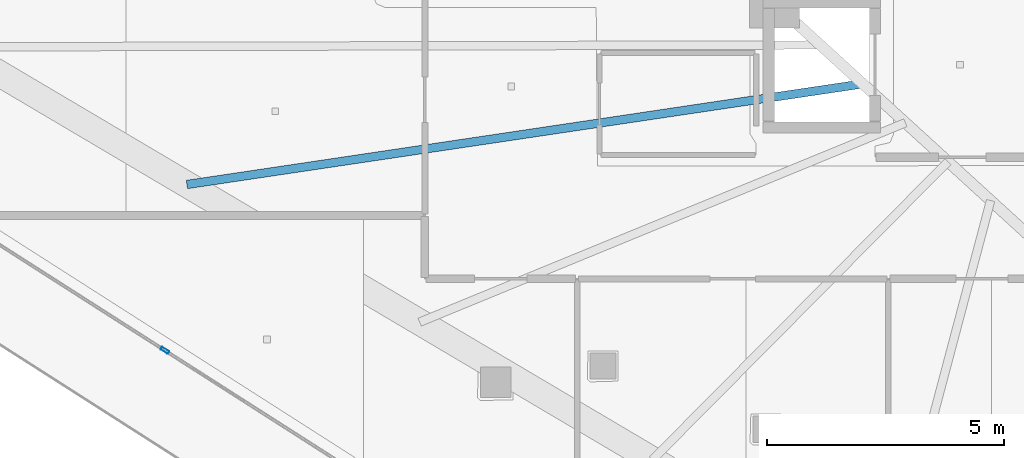
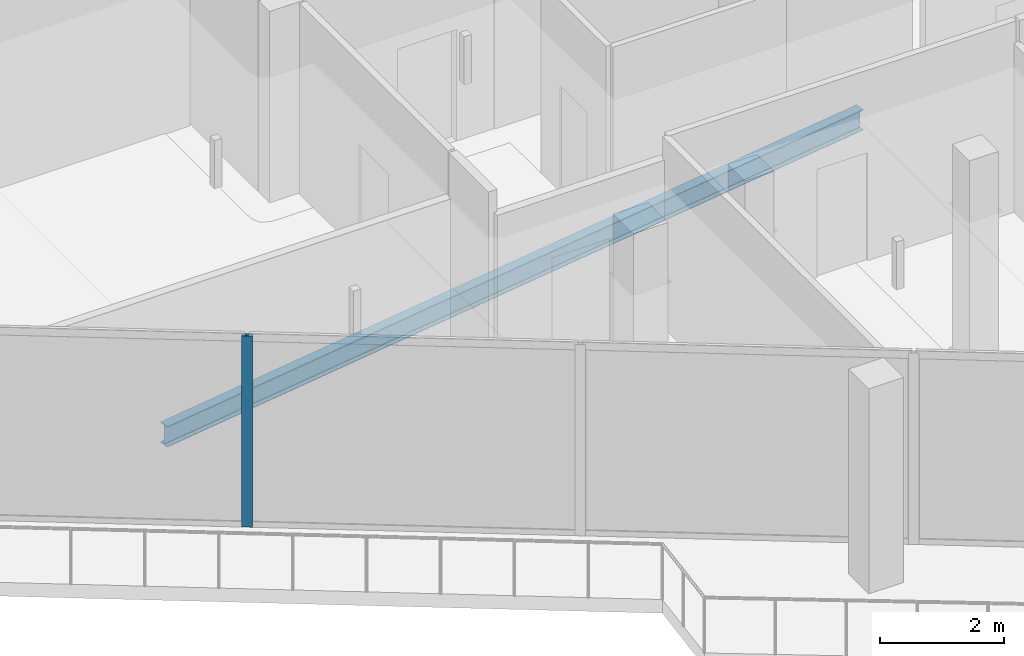
# One storey, part 6 of 39: 1 beam, 1 member, 1 element without a shape of its own.
"""IFC4 building model written with IfcOpenShell, lengths in metres."""

from ifc_helpers import new_model, si_unit, direction, frame, origin, origin_2d, place, context, subcontext, project, spatial, hollow_rectangle, i_section, extrude, material, layer, layer_set, material_profile, profile_set, type_object, element, aggregate, save


model = new_model("IFC4")

# Units and contexts
model_context = context("Model", 3, precision=1e-05, world=origin(), true_north=direction((0.0, 1.0)))
body_context = subcontext(model_context, "Body", "Model", "MODEL_VIEW")
ifc_project = project(units=[si_unit("LENGTHUNIT", "METRE"), si_unit("AREAUNIT", "SQUARE_METRE"), si_unit("VOLUMEUNIT", "CUBIC_METRE"), si_unit("PLANEANGLEUNIT", "RADIAN"), si_unit("MASSUNIT", "GRAM", prefix="KILO")], contexts=[model_context])

# Site, building, storey
site_placement = place(None, origin())
site = spatial("IfcSite", under=ifc_project, at=site_placement, CompositionType="ELEMENT")
building_placement = place(site_placement, origin())
building = spatial("IfcBuilding", under=site, at=building_placement, Name="Qorvath Tower", CompositionType="ELEMENT")
storey_placement = place(building_placement, frame((0.0, 0.0, 142.199951171875)))
storey = spatial("IfcBuildingStorey", under=building, at=storey_placement, Name="L32", CompositionType="ELEMENT", Elevation=142.199951171875)

# Beam
ifc_material_1 = material(Name="Steel ASTM A992 Grade 50", Category="steel")
ifc_material_profile_1 = material_profile(ifc_material_1, i_section(OverallWidth=0.177978515625, OverallDepth=0.406005859375, WebThickness=0.0078125, FlangeThickness=0.0126953125, FilletRadius=0.010986328125, at=origin_2d()), Name="W16x40")
ifc_profile_set_1 = profile_set([ifc_material_profile_1], Name="Steel ASTM A992 Grade 50")
beam_type = type_object("IfcBeamType", Name="BM-FJ3", PredefinedType="JOIST", material=ifc_profile_set_1)
beam_placement = place(storey_placement, frame((-28.636962890625, -6.85107421875, -0.47314453125), z_axis=(-0.989092860328, -0.147293291256, 0.0), x_axis=(0.147293291256, -0.989092860328, 0.0)))
element("IfcBeam", 1, at=beam_placement, inside=storey, type_object=beam_type, Name="Composite Floor Joist SW2 L32", PredefinedType="JOIST", context=body_context, shape_type="SweptSolid", body=[
    extrude(i_section(OverallWidth=0.177978515625, OverallDepth=0.406005859375, WebThickness=0.0078125, FlangeThickness=0.0126953125, FilletRadius=0.010986328125, at=origin_2d()), origin(), (0.0, 0.0, 1.0), 14.388916015625),
])

# Curtain wall, member
ifc_material_2 = material(Name="Anodised aluminium and triple low-E glass", Category="aluminium")
ifc_layer = layer(ifc_material_2, 0.179931640625)
ifc_layer_set = layer_set([ifc_layer], Name="CW-SYS-3")
curtain_wall_type = type_object("IfcCurtainWallType", Name="CW-SYS-3", PredefinedType="NOTDEFINED", material=ifc_layer_set)
curtain_wall_placement = place(storey_placement, origin())
curtain_wall = element("IfcCurtainWall", 2, at=curtain_wall_placement, inside=storey, type_object=curtain_wall_type, Name="Curtain Wall CW-3 CW-T-L32-2.1", PredefinedType="NOTDEFINED")
ifc_material_3 = material(Name="Anodised aluminium 6063-T6", Category="aluminium")
ifc_material_profile_2 = material_profile(ifc_material_3, hollow_rectangle(XDim=0.06494140625, YDim=0.179931640625, WallThickness=0.00341796875, InnerFilletRadius=0.00341796875, OuterFilletRadius=0.007080078125, at=origin_2d()), Name="CWM 180x65")
ifc_profile_set_2 = profile_set([ifc_material_profile_2], Name="Anodised aluminium 6063-T6")
member_type = type_object("IfcMemberType", Name="CWM-180", PredefinedType="MULLION", material=ifc_profile_set_2)
member_placement = place(storey_placement, frame((-43.332763671875, -12.465087890625, 0.0), z_axis=(0.0, 0.0, 1.0), x_axis=(0.53853296968, 0.842604438967, 0.0)))
member = element("IfcMember", 3, at=member_placement, type_object=member_type, Name="CW-3 mullion 4", PredefinedType="MULLION", context=body_context, shape_type="SweptSolid", body=[
    extrude(hollow_rectangle(XDim=0.06494140625, YDim=0.179931640625, WallThickness=0.00341796875, InnerFilletRadius=0.00341796875, OuterFilletRadius=0.007080078125, at=origin_2d()), origin(), (0.0, 0.0, 1.0), 3.780029296875),
])
aggregate(curtain_wall, [member])

save(model, "model.ifc")
